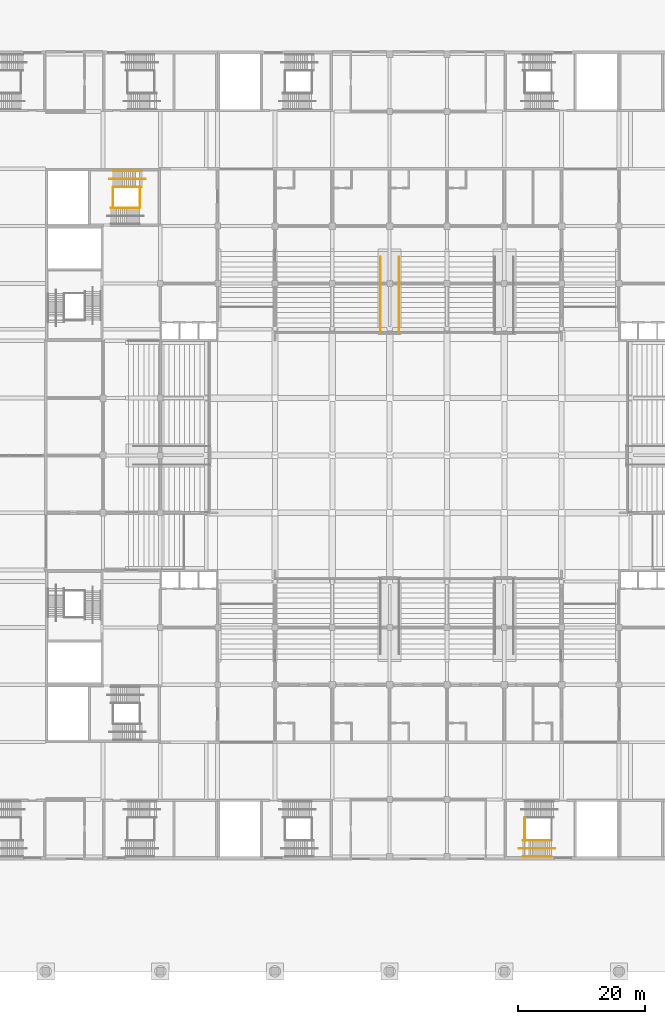
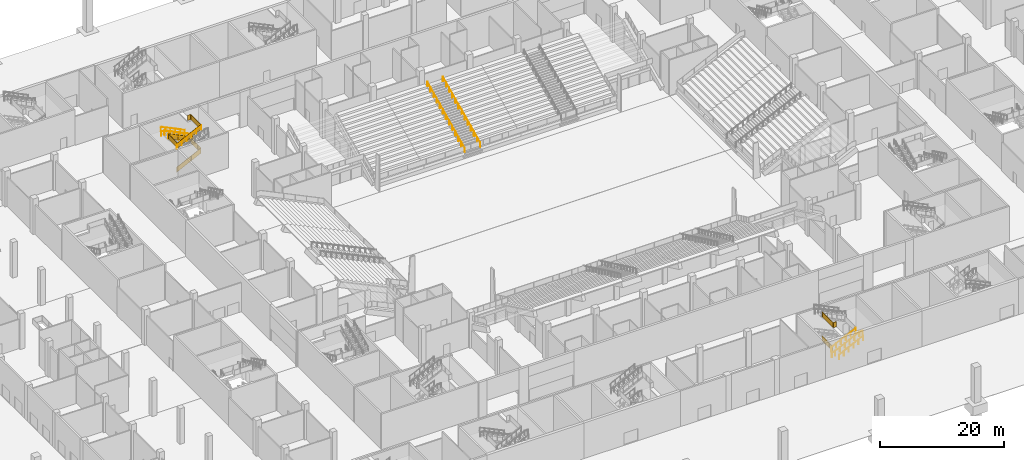
# One storey, part 68 of 92: 17 railings.
"""IFC4 building model written with IfcOpenShell, lengths in metres."""

from ifc_helpers import new_model, si_unit, direction, frame, origin, origin_2d, place, context, subcontext, project, spatial, polyline, circle, outline, extrude, material, type_object, element, save


model = new_model("IFC4")

# Units and contexts
model_context = context("Model", 3, precision=1e-05, world=origin(), true_north=direction((0.0, 1.0)))
body_context = subcontext(model_context, "Body", "Model", "MODEL_VIEW")
ifc_project = project(units=[si_unit("LENGTHUNIT", "METRE"), si_unit("AREAUNIT", "SQUARE_METRE"), si_unit("VOLUMEUNIT", "CUBIC_METRE"), si_unit("PLANEANGLEUNIT", "RADIAN"), si_unit("MASSUNIT", "GRAM", prefix="KILO")], contexts=[model_context])

# Site, building, storey
site_placement = place(None, origin())
site = spatial("IfcSite", under=ifc_project, at=site_placement, CompositionType="ELEMENT")
building_placement = place(site_placement, origin())
building = spatial("IfcBuilding", under=site, at=building_placement, Name="Silverbay Arena", CompositionType="ELEMENT")
storey_placement = place(building_placement, origin())
storey = spatial("IfcBuildingStorey", under=building, at=storey_placement, Name="L00", CompositionType="ELEMENT", Elevation=0.0)

# Railings
ifc_material_1 = material(Name="Stainless steel", Category="steel")
railing_type_1 = type_object("IfcRailingType", Name="Stair guard 1100", PredefinedType="GUARDRAIL", material=ifc_material_1)
railing_1_placement = place(storey_placement, frame((147.193115234375, 24.10009765625, 2.333251953125)))
element("IfcRailing", 1, at=railing_1_placement, inside=storey, type_object=railing_type_1, Name="Stair ST-S3 L00 to L01 landing 1 guard", PredefinedType="GUARDRAIL", context=body_context, shape_type="SweptSolid", body=[
    extrude(circle(Radius=0.02392578125, at=origin_2d()), frame((0.0, 0.0, 1.076171875), z_axis=(0.0, -1.0, 0.0), x_axis=(1.0, 0.0, 0.0)), (0.0, 0.0, 1.0), 3.5),
    extrude(outline(polyline([(-0.008056640625, 0.050048828125), (1.174560546875, 0.050048828125), (1.174560546875, 1.052978515625), (-0.008056640625, 1.052978515625), (-0.008056640625, 0.050048828125)])), frame((0.0029296875, 0.0, 0.0), z_axis=(-1.0, 0.0, 0.0), x_axis=(0.0, -1.0, 0.0)), (0.0, 0.0, 1.0), 0.006103515625),
    extrude(outline(polyline([(-0.008056640625, 0.050048828125), (1.174560546875, 0.050048828125), (1.174560546875, 1.052978515625), (-0.008056640625, 1.052978515625), (-0.008056640625, 0.050048828125)])), frame((0.0029296875, -1.166748046875, 0.0), z_axis=(-1.0, 0.0, 0.0), x_axis=(0.0, -1.0, 0.0)), (0.0, 0.0, 1.0), 0.006103515625),
    extrude(outline(polyline([(-0.008056640625, 0.050048828125), (1.174560546875, 0.050048828125), (1.174560546875, 1.052978515625), (-0.008056640625, 1.052978515625), (-0.008056640625, 0.050048828125)])), frame((0.0029296875, -2.333251953125, 0.0), z_axis=(-1.0, 0.0, 0.0), x_axis=(0.0, -1.0, 0.0)), (0.0, 0.0, 1.0), 0.006103515625),
    extrude(circle(Radius=0.02099609375, at=origin_2d()), origin(), (0.0, 0.0, 1.0), 1.052001953125),
    extrude(circle(Radius=0.02099609375, at=origin_2d()), frame((0.0, -1.166748046875, 0.0)), (0.0, 0.0, 1.0), 1.052001953125),
    extrude(circle(Radius=0.02099609375, at=origin_2d()), frame((0.0, -2.333251953125, 0.0)), (0.0, 0.0, 1.0), 1.052001953125),
    extrude(circle(Radius=0.02099609375, at=origin_2d()), frame((0.0, -3.5, 0.0)), (0.0, 0.0, 1.0), 1.052001953125),
])
railing_2_placement = place(storey_placement, frame((147.85009765625, 20.550048828125, 7.0)))
element("IfcRailing", 2, at=railing_2_placement, inside=storey, type_object=railing_type_1, Name="Stair ST-S3 L00 to L01 landing 3 guard", PredefinedType="GUARDRAIL", context=body_context, shape_type="SweptSolid", body=[
    extrude(circle(Radius=0.02392578125, at=origin_2d()), frame((0.0, 0.0, 1.076171875), z_axis=(-1.0, 0.0, 0.0), x_axis=(0.0, -1.0, 0.0)), (0.0, 0.0, 1.0), 0.60693359375),
    extrude(outline(polyline([(-0.008056640625, 0.050048828125), (0.614990234375, 0.050048828125), (0.614990234375, 1.052978515625), (-0.008056640625, 1.052978515625), (-0.008056640625, 0.050048828125)])), frame((0.0, -0.0029296875, 0.0), z_axis=(0.0, 1.0, 0.0), x_axis=(-1.0, 0.0, 0.0)), (0.0, 0.0, 1.0), 0.006103515625),
    extrude(circle(Radius=0.02392578125, at=origin_2d()), frame((-0.60693359375, 0.0, 1.076171875), z_axis=(0.0, 1.0, 0.0), x_axis=(-1.0, 0.0, 0.0)), (0.0, 0.0, 1.0), 3.550048828125),
    extrude(outline(polyline([(-0.008056640625, 0.050048828125), (1.19140625, 0.050048828125), (1.19140625, 1.052978515625), (-0.008056640625, 1.052978515625), (-0.008056640625, 0.050048828125)])), frame((-0.60986328125, 0.0, 0.0), z_axis=(1.0, 0.0, 0.0), x_axis=(0.0, 1.0, 0.0)), (0.0, 0.0, 1.0), 0.006103515625),
    extrude(outline(polyline([(-0.008056640625, 0.050048828125), (1.19140625, 0.050048828125), (1.19140625, 1.052978515625), (-0.008056640625, 1.052978515625), (-0.008056640625, 0.050048828125)])), frame((-0.60986328125, 1.183349609375, 0.0), z_axis=(1.0, 0.0, 0.0), x_axis=(0.0, 1.0, 0.0)), (0.0, 0.0, 1.0), 0.006103515625),
    extrude(outline(polyline([(-0.008056640625, 0.050048828125), (1.19140625, 0.050048828125), (1.19140625, 1.052978515625), (-0.008056640625, 1.052978515625), (-0.008056640625, 0.050048828125)])), frame((-0.60986328125, 2.36669921875, 0.0), z_axis=(1.0, 0.0, 0.0), x_axis=(0.0, 1.0, 0.0)), (0.0, 0.0, 1.0), 0.006103515625),
    extrude(circle(Radius=0.02099609375, at=origin_2d()), origin(), (0.0, 0.0, 1.0), 1.052001953125),
    extrude(circle(Radius=0.02099609375, at=origin_2d()), frame((-0.60693359375, 0.0, 0.0)), (0.0, 0.0, 1.0), 1.052001953125),
    extrude(circle(Radius=0.02099609375, at=origin_2d()), frame((-0.60693359375, 1.183349609375, 0.0)), (0.0, 0.0, 1.0), 1.052001953125),
    extrude(circle(Radius=0.02099609375, at=origin_2d()), frame((-0.60693359375, 2.36669921875, 0.0)), (0.0, 0.0, 1.0), 1.052001953125),
    extrude(circle(Radius=0.02099609375, at=origin_2d()), frame((-0.60693359375, 3.550048828125, 0.0)), (0.0, 0.0, 1.0), 1.052001953125),
])
railing_3_placement = place(storey_placement, frame((82.2568359375, 119.875, 0.145751953125)))
element("IfcRailing", 3, at=railing_3_placement, inside=storey, type_object=railing_type_1, Name="Stair ST-NW1 L00 to L01 flight 1 guard right", PredefinedType="GUARDRAIL", context=body_context, shape_type="SweptSolid", body=[
    extrude(circle(Radius=0.02392578125, at=origin_2d()), frame((0.0, 0.0, 1.076171875), z_axis=(0.899367854138, 0.0, 0.437192706873), x_axis=(0.0, 1.0, 0.0)), (0.0, 0.0, 1.0), 5.00341796875),
    extrude(outline(polyline([(-0.008056640625, 0.046142578125), (0.907958984375, 0.491455078125), (0.907958984375, 1.494384765625), (-0.008056640625, 1.049072265625), (-0.008056640625, 0.046142578125)])), frame((0.0, 0.0029296875, 0.0), z_axis=(0.0, -1.0, 0.0), x_axis=(1.0, 0.0, 0.0)), (0.0, 0.0, 1.0), 0.006103515625),
    extrude(outline(polyline([(-0.008056640625, 0.483642578125), (0.907958984375, 0.928955078125), (0.907958984375, 1.931884765625), (-0.008056640625, 1.486572265625), (-0.008056640625, 0.483642578125)])), frame((0.89990234375, 0.0029296875, 0.0), z_axis=(0.0, -1.0, 0.0), x_axis=(1.0, 0.0, 0.0)), (0.0, 0.0, 1.0), 0.006103515625),
    extrude(outline(polyline([(-0.008056640625, 0.921142578125), (0.907958984375, 1.366455078125), (0.907958984375, 2.369384765625), (-0.008056640625, 1.924072265625), (-0.008056640625, 0.921142578125)])), frame((1.800048828125, 0.0029296875, 0.0), z_axis=(0.0, -1.0, 0.0), x_axis=(1.0, 0.0, 0.0)), (0.0, 0.0, 1.0), 0.006103515625),
    extrude(outline(polyline([(-0.008056640625, 1.358642578125), (0.907958984375, 1.803955078125), (0.907958984375, 2.806884765625), (-0.008056640625, 2.361572265625), (-0.008056640625, 1.358642578125)])), frame((2.699951171875, 0.0029296875, 0.0), z_axis=(0.0, -1.0, 0.0), x_axis=(1.0, 0.0, 0.0)), (0.0, 0.0, 1.0), 0.006103515625),
    extrude(outline(polyline([(-0.008056640625, 1.796142578125), (0.907958984375, 2.241455078125), (0.907958984375, 3.244384765625), (-0.008056640625, 2.799072265625), (-0.008056640625, 1.796142578125)])), frame((3.60009765625, 0.0029296875, 0.0), z_axis=(0.0, -1.0, 0.0), x_axis=(1.0, 0.0, 0.0)), (0.0, 0.0, 1.0), 0.006103515625),
    extrude(circle(Radius=0.02099609375, at=origin_2d()), origin(), (0.0, 0.0, 1.0), 1.052001953125),
    extrude(circle(Radius=0.02099609375, at=origin_2d()), frame((0.89990234375, 0.0, 0.4375)), (0.0, 0.0, 1.0), 1.052001953125),
    extrude(circle(Radius=0.02099609375, at=origin_2d()), frame((1.800048828125, 0.0, 0.875)), (0.0, 0.0, 1.0), 1.052001953125),
    extrude(circle(Radius=0.02099609375, at=origin_2d()), frame((2.699951171875, 0.0, 1.3125)), (0.0, 0.0, 1.0), 1.052001953125),
    extrude(circle(Radius=0.02099609375, at=origin_2d()), frame((3.60009765625, 0.0, 1.75)), (0.0, 0.0, 1.0), 1.052001953125),
    extrude(circle(Radius=0.02099609375, at=origin_2d()), frame((4.5, 0.0, 2.1875)), (0.0, 0.0, 1.0), 1.052001953125),
])
railing_4_placement = place(storey_placement, frame((87.10009765625, 123.125, 2.479248046875)))
element("IfcRailing", 4, at=railing_4_placement, inside=storey, type_object=railing_type_1, Name="Stair ST-NW1 L00 to L01 flight 2 guard left", PredefinedType="GUARDRAIL", context=body_context, shape_type="SweptSolid", body=[
    extrude(circle(Radius=0.02392578125, at=origin_2d()), frame((0.0, 0.0, 1.076171875), z_axis=(-0.899367854138, 0.0, 0.437192706873), x_axis=(0.0, -1.0, 0.0)), (0.0, 0.0, 1.0), 5.00341796875),
    extrude(outline(polyline([(-0.008056640625, 0.046142578125), (0.907958984375, 0.491455078125), (0.907958984375, 1.494384765625), (-0.008056640625, 1.049072265625), (-0.008056640625, 0.046142578125)])), frame((0.0, -0.0029296875, 0.0), z_axis=(0.0, 1.0, 0.0), x_axis=(-1.0, 0.0, 0.0)), (0.0, 0.0, 1.0), 0.006103515625),
    extrude(outline(polyline([(-0.008056640625, 0.483642578125), (0.907958984375, 0.928955078125), (0.907958984375, 1.931884765625), (-0.008056640625, 1.486572265625), (-0.008056640625, 0.483642578125)])), frame((-0.89990234375, -0.0029296875, 0.0), z_axis=(0.0, 1.0, 0.0), x_axis=(-1.0, 0.0, 0.0)), (0.0, 0.0, 1.0), 0.006103515625),
    extrude(outline(polyline([(-0.008056640625, 0.921142578125), (0.907958984375, 1.366455078125), (0.907958984375, 2.369384765625), (-0.008056640625, 1.924072265625), (-0.008056640625, 0.921142578125)])), frame((-1.800048828125, -0.0029296875, 0.0), z_axis=(0.0, 1.0, 0.0), x_axis=(-1.0, 0.0, 0.0)), (0.0, 0.0, 1.0), 0.006103515625),
    extrude(outline(polyline([(-0.008056640625, 1.358642578125), (0.907958984375, 1.803955078125), (0.907958984375, 2.806884765625), (-0.008056640625, 2.361572265625), (-0.008056640625, 1.358642578125)])), frame((-2.699951171875, -0.0029296875, 0.0), z_axis=(0.0, 1.0, 0.0), x_axis=(-1.0, 0.0, 0.0)), (0.0, 0.0, 1.0), 0.006103515625),
    extrude(outline(polyline([(-0.008056640625, 1.796142578125), (0.907958984375, 2.241455078125), (0.907958984375, 3.244384765625), (-0.008056640625, 2.799072265625), (-0.008056640625, 1.796142578125)])), frame((-3.60009765625, -0.0029296875, 0.0), z_axis=(0.0, 1.0, 0.0), x_axis=(-1.0, 0.0, 0.0)), (0.0, 0.0, 1.0), 0.006103515625),
    extrude(circle(Radius=0.02099609375, at=origin_2d()), origin(), (0.0, 0.0, 1.0), 1.052001953125),
    extrude(circle(Radius=0.02099609375, at=origin_2d()), frame((-0.89990234375, 0.0, 0.4375)), (0.0, 0.0, 1.0), 1.052001953125),
    extrude(circle(Radius=0.02099609375, at=origin_2d()), frame((-1.800048828125, 0.0, 0.875)), (0.0, 0.0, 1.0), 1.052001953125),
    extrude(circle(Radius=0.02099609375, at=origin_2d()), frame((-2.699951171875, 0.0, 1.3125)), (0.0, 0.0, 1.0), 1.052001953125),
    extrude(circle(Radius=0.02099609375, at=origin_2d()), frame((-3.60009765625, 0.0, 1.75)), (0.0, 0.0, 1.0), 1.052001953125),
    extrude(circle(Radius=0.02099609375, at=origin_2d()), frame((-4.5, 0.0, 2.1875)), (0.0, 0.0, 1.0), 1.052001953125),
])
railing_5_placement = place(storey_placement, frame((82.2568359375, 119.875, 4.8125)))
element("IfcRailing", 5, at=railing_5_placement, inside=storey, type_object=railing_type_1, Name="Stair ST-NW1 L00 to L01 flight 3 guard right", PredefinedType="GUARDRAIL", context=body_context, shape_type="SweptSolid", body=[
    extrude(circle(Radius=0.02392578125, at=origin_2d()), frame((0.0, 0.0, 1.076171875), z_axis=(0.899367854138, 0.0, 0.437192706873), x_axis=(0.0, 1.0, 0.0)), (0.0, 0.0, 1.0), 5.00341796875),
    extrude(outline(polyline([(-0.008056640625, 0.046142578125), (0.907958984375, 0.491455078125), (0.907958984375, 1.494384765625), (-0.008056640625, 1.049072265625), (-0.008056640625, 0.046142578125)])), frame((0.0, 0.0029296875, 0.0), z_axis=(0.0, -1.0, 0.0), x_axis=(1.0, 0.0, 0.0)), (0.0, 0.0, 1.0), 0.006103515625),
    extrude(outline(polyline([(-0.008056640625, 0.483642578125), (0.907958984375, 0.928955078125), (0.907958984375, 1.931884765625), (-0.008056640625, 1.486572265625), (-0.008056640625, 0.483642578125)])), frame((0.89990234375, 0.0029296875, 0.0), z_axis=(0.0, -1.0, 0.0), x_axis=(1.0, 0.0, 0.0)), (0.0, 0.0, 1.0), 0.006103515625),
    extrude(outline(polyline([(-0.008056640625, 0.921142578125), (0.907958984375, 1.366455078125), (0.907958984375, 2.369384765625), (-0.008056640625, 1.924072265625), (-0.008056640625, 0.921142578125)])), frame((1.800048828125, 0.0029296875, 0.0), z_axis=(0.0, -1.0, 0.0), x_axis=(1.0, 0.0, 0.0)), (0.0, 0.0, 1.0), 0.006103515625),
    extrude(outline(polyline([(-0.008056640625, 1.358642578125), (0.907958984375, 1.803955078125), (0.907958984375, 2.806884765625), (-0.008056640625, 2.361572265625), (-0.008056640625, 1.358642578125)])), frame((2.699951171875, 0.0029296875, 0.0), z_axis=(0.0, -1.0, 0.0), x_axis=(1.0, 0.0, 0.0)), (0.0, 0.0, 1.0), 0.006103515625),
    extrude(outline(polyline([(-0.008056640625, 1.796142578125), (0.907958984375, 2.241455078125), (0.907958984375, 3.244384765625), (-0.008056640625, 2.799072265625), (-0.008056640625, 1.796142578125)])), frame((3.60009765625, 0.0029296875, 0.0), z_axis=(0.0, -1.0, 0.0), x_axis=(1.0, 0.0, 0.0)), (0.0, 0.0, 1.0), 0.006103515625),
    extrude(circle(Radius=0.02099609375, at=origin_2d()), origin(), (0.0, 0.0, 1.0), 1.052001953125),
    extrude(circle(Radius=0.02099609375, at=origin_2d()), frame((0.89990234375, 0.0, 0.4375)), (0.0, 0.0, 1.0), 1.052001953125),
    extrude(circle(Radius=0.02099609375, at=origin_2d()), frame((1.800048828125, 0.0, 0.875)), (0.0, 0.0, 1.0), 1.052001953125),
    extrude(circle(Radius=0.02099609375, at=origin_2d()), frame((2.699951171875, 0.0, 1.3125)), (0.0, 0.0, 1.0), 1.052001953125),
    extrude(circle(Radius=0.02099609375, at=origin_2d()), frame((3.60009765625, 0.0, 1.75)), (0.0, 0.0, 1.0), 1.052001953125),
    extrude(circle(Radius=0.02099609375, at=origin_2d()), frame((4.5, 0.0, 2.1875)), (0.0, 0.0, 1.0), 1.052001953125),
])
for number, where, name in (
    (6, (86.806884765625, 119.89990234375, 2.333251953125), "Stair ST-NW1 L00 to L01 landing 1 guard"),
    (7, (82.550048828125, 119.89990234375, 4.666748046875), "Stair ST-NW1 L00 to L01 landing 2 guard"),
):
    element("IfcRailing", number, at=place(storey_placement, frame(where)), inside=storey, type_object=railing_type_1, Name=name, PredefinedType="GUARDRAIL", context=body_context, shape_type="SweptSolid", body=[
        extrude(circle(Radius=0.02392578125, at=origin_2d()), frame((0.0, 0.0, 1.076171875), z_axis=(0.0, 1.0, 0.0), x_axis=(-1.0, 0.0, 0.0)), (0.0, 0.0, 1.0), 3.2001953125),
        extrude(outline(polyline([(-0.008056640625, 0.050048828125), (1.07470703125, 0.050048828125), (1.07470703125, 1.052978515625), (-0.008056640625, 1.052978515625), (-0.008056640625, 0.050048828125)])), frame((-0.0029296875, 0.0, 0.0), z_axis=(1.0, 0.0, 0.0), x_axis=(0.0, 1.0, 0.0)), (0.0, 0.0, 1.0), 0.006103515625),
        extrude(outline(polyline([(-0.008056640625, 0.050048828125), (1.07470703125, 0.050048828125), (1.07470703125, 1.052978515625), (-0.008056640625, 1.052978515625), (-0.008056640625, 0.050048828125)])), frame((-0.0029296875, 1.066650390625, 0.0), z_axis=(1.0, 0.0, 0.0), x_axis=(0.0, 1.0, 0.0)), (0.0, 0.0, 1.0), 0.006103515625),
        extrude(outline(polyline([(-0.008056640625, 0.050048828125), (1.07470703125, 0.050048828125), (1.07470703125, 1.052978515625), (-0.008056640625, 1.052978515625), (-0.008056640625, 0.050048828125)])), frame((-0.0029296875, 2.133544921875, 0.0), z_axis=(1.0, 0.0, 0.0), x_axis=(0.0, 1.0, 0.0)), (0.0, 0.0, 1.0), 0.006103515625),
        extrude(circle(Radius=0.02099609375, at=origin_2d()), origin(), (0.0, 0.0, 1.0), 1.052001953125),
        extrude(circle(Radius=0.02099609375, at=origin_2d()), frame((0.0, 1.066650390625, 0.0)), (0.0, 0.0, 1.0), 1.052001953125),
        extrude(circle(Radius=0.02099609375, at=origin_2d()), frame((0.0, 2.133544921875, 0.0)), (0.0, 0.0, 1.0), 1.052001953125),
        extrude(circle(Radius=0.02099609375, at=origin_2d()), frame((0.0, 3.2001953125, 0.0)), (0.0, 0.0, 1.0), 1.052001953125),
    ])
railing_6_placement = place(storey_placement, frame((86.14990234375, 123.14990234375, 7.0)))
element("IfcRailing", 8, at=railing_6_placement, inside=storey, type_object=railing_type_1, Name="Stair ST-NW1 L00 to L01 landing 3 guard", PredefinedType="GUARDRAIL", context=body_context, shape_type="SweptSolid", body=[
    extrude(circle(Radius=0.02392578125, at=origin_2d()), frame((0.0, 0.0, 1.076171875), z_axis=(1.0, 0.0, 0.0), x_axis=(0.0, 1.0, 0.0)), (0.0, 0.0, 1.0), 0.60693359375),
    extrude(outline(polyline([(-0.008056640625, 0.050048828125), (0.614990234375, 0.050048828125), (0.614990234375, 1.052978515625), (-0.008056640625, 1.052978515625), (-0.008056640625, 0.050048828125)])), frame((0.0, 0.0029296875, 0.0), z_axis=(0.0, -1.0, 0.0), x_axis=(1.0, 0.0, 0.0)), (0.0, 0.0, 1.0), 0.006103515625),
    extrude(circle(Radius=0.02392578125, at=origin_2d()), frame((0.60693359375, 0.0, 1.076171875), z_axis=(0.0, -1.0, 0.0), x_axis=(1.0, 0.0, 0.0)), (0.0, 0.0, 1.0), 3.25),
    extrude(outline(polyline([(-0.008056640625, 0.050048828125), (1.09130859375, 0.050048828125), (1.09130859375, 1.052978515625), (-0.008056640625, 1.052978515625), (-0.008056640625, 0.050048828125)])), frame((0.60986328125, 0.0, 0.0), z_axis=(-1.0, 0.0, 0.0), x_axis=(0.0, -1.0, 0.0)), (0.0, 0.0, 1.0), 0.006103515625),
    extrude(outline(polyline([(-0.008056640625, 0.050048828125), (1.09130859375, 0.050048828125), (1.09130859375, 1.052978515625), (-0.008056640625, 1.052978515625), (-0.008056640625, 0.050048828125)])), frame((0.60986328125, -1.083251953125, 0.0), z_axis=(-1.0, 0.0, 0.0), x_axis=(0.0, -1.0, 0.0)), (0.0, 0.0, 1.0), 0.006103515625),
    extrude(outline(polyline([(-0.008056640625, 0.050048828125), (1.09130859375, 0.050048828125), (1.09130859375, 1.052978515625), (-0.008056640625, 1.052978515625), (-0.008056640625, 0.050048828125)])), frame((0.60986328125, -2.166748046875, 0.0), z_axis=(-1.0, 0.0, 0.0), x_axis=(0.0, -1.0, 0.0)), (0.0, 0.0, 1.0), 0.006103515625),
    extrude(circle(Radius=0.02099609375, at=origin_2d()), origin(), (0.0, 0.0, 1.0), 1.052001953125),
    extrude(circle(Radius=0.02099609375, at=origin_2d()), frame((0.60693359375, 0.0, 0.0)), (0.0, 0.0, 1.0), 1.052001953125),
    extrude(circle(Radius=0.02099609375, at=origin_2d()), frame((0.60693359375, -1.083251953125, 0.0)), (0.0, 0.0, 1.0), 1.052001953125),
    extrude(circle(Radius=0.02099609375, at=origin_2d()), frame((0.60693359375, -2.166748046875, 0.0)), (0.0, 0.0, 1.0), 1.052001953125),
    extrude(circle(Radius=0.02099609375, at=origin_2d()), frame((0.60693359375, -3.25, 0.0)), (0.0, 0.0, 1.0), 1.052001953125),
])
ifc_material_2 = material(Name="Stainless steel", Category="steel")
railing_type_2 = type_object("IfcRailingType", Name="Stair handrail 900", PredefinedType="HANDRAIL", material=ifc_material_2)
for number, where, name in (
    (9, (146.89990234375, 20.535888671875, 2.479248046875), "Stair ST-S3 L00 to L01 flight 2 handrail left"),
    (10, (146.89990234375, 18.050048828125, 2.479248046875), "Stair ST-S3 L00 to L01 flight 2 handrail right"),
):
    element("IfcRailing", number, at=place(storey_placement, frame(where)), inside=storey, type_object=railing_type_2, Name=name, PredefinedType="HANDRAIL", context=body_context, shape_type="SweptSolid", body=[
        extrude(circle(Radius=0.02392578125, at=origin_2d()), frame((0.0, 0.0, 0.8759765625), z_axis=(0.899367854138, 0.0, 0.437192706873), x_axis=(0.0, 1.0, 0.0)), (0.0, 0.0, 1.0), 5.00341796875),
        extrude(circle(Radius=0.02099609375, at=origin_2d()), origin(), (0.0, 0.0, 1.0), 0.851806640625),
        extrude(circle(Radius=0.02099609375, at=origin_2d()), frame((0.89990234375, 0.0, 0.4375)), (0.0, 0.0, 1.0), 0.851806640625),
        extrude(circle(Radius=0.02099609375, at=origin_2d()), frame((1.800048828125, 0.0, 0.875)), (0.0, 0.0, 1.0), 0.851806640625),
        extrude(circle(Radius=0.02099609375, at=origin_2d()), frame((2.699951171875, 0.0, 1.3125)), (0.0, 0.0, 1.0), 0.851806640625),
        extrude(circle(Radius=0.02099609375, at=origin_2d()), frame((3.60009765625, 0.0, 1.75)), (0.0, 0.0, 1.0), 0.851806640625),
        extrude(circle(Radius=0.02099609375, at=origin_2d()), frame((4.5, 0.0, 2.1875)), (0.0, 0.0, 1.0), 0.851806640625),
    ])
railing_7_placement = place(storey_placement, frame((146.300048828125, 19.300048828125, 2.333251953125)))
element("IfcRailing", 11, at=railing_7_placement, inside=storey, type_object=railing_type_2, Name="Stair ST-S3 L00 to L01 flight 2 central handrail", PredefinedType="HANDRAIL", context=body_context, shape_type="SweptSolid", body=[
    extrude(circle(Radius=0.02392578125, at=origin_2d()), frame((0.0, 0.0, 0.8759765625), z_axis=(0.971635685089, 0.0, 0.236482759334), x_axis=(0.0, 1.0, 0.0)), (0.0, 0.0, 1.0), 0.617431640625),
    extrude(circle(Radius=0.02392578125, at=origin_2d()), frame((0.599853515625, 0.0, 1.02197265625), z_axis=(0.899367854138, 0.0, 0.437192706873), x_axis=(0.0, 1.0, 0.0)), (0.0, 0.0, 1.0), 5.00341796875),
    extrude(circle(Radius=0.02392578125, at=origin_2d()), frame((5.099853515625, 0.0, 3.20947265625), z_axis=(1.0, 0.0, 0.0), x_axis=(0.0, 1.0, 0.0)), (0.0, 0.0, 1.0), 0.60009765625),
    extrude(circle(Radius=0.02099609375, at=origin_2d()), origin(), (0.0, 0.0, 1.0), 0.851806640625),
    extrude(circle(Radius=0.02099609375, at=origin_2d()), frame((0.599853515625, 0.0, 0.14599609375)), (0.0, 0.0, 1.0), 0.851806640625),
    extrude(circle(Radius=0.02099609375, at=origin_2d()), frame((1.499755859375, 0.0, 0.58349609375)), (0.0, 0.0, 1.0), 0.851806640625),
    extrude(circle(Radius=0.02099609375, at=origin_2d()), frame((2.39990234375, 0.0, 1.02099609375)), (0.0, 0.0, 1.0), 0.851806640625),
    extrude(circle(Radius=0.02099609375, at=origin_2d()), frame((3.2998046875, 0.0, 1.45849609375)), (0.0, 0.0, 1.0), 0.851806640625),
    extrude(circle(Radius=0.02099609375, at=origin_2d()), frame((4.199951171875, 0.0, 1.89599609375)), (0.0, 0.0, 1.0), 0.851806640625),
    extrude(circle(Radius=0.02099609375, at=origin_2d()), frame((5.099853515625, 0.0, 2.33349609375)), (0.0, 0.0, 1.0), 0.851806640625),
    extrude(circle(Radius=0.02099609375, at=origin_2d()), frame((5.699951171875, 0.0, 2.33349609375)), (0.0, 0.0, 1.0), 0.851806640625),
])
for number, where, name in (
    (12, (87.10009765625, 123.1640625, 2.479248046875), "Stair ST-NW1 L00 to L01 flight 2 handrail left"),
    (13, (87.10009765625, 125.64990234375, 2.479248046875), "Stair ST-NW1 L00 to L01 flight 2 handrail right"),
):
    element("IfcRailing", number, at=place(storey_placement, frame(where)), inside=storey, type_object=railing_type_2, Name=name, PredefinedType="HANDRAIL", context=body_context, shape_type="SweptSolid", body=[
        extrude(circle(Radius=0.02392578125, at=origin_2d()), frame((0.0, 0.0, 0.8759765625), z_axis=(-0.899367854138, 0.0, 0.437192706873), x_axis=(0.0, -1.0, 0.0)), (0.0, 0.0, 1.0), 5.00341796875),
        extrude(circle(Radius=0.02099609375, at=origin_2d()), origin(), (0.0, 0.0, 1.0), 0.851806640625),
        extrude(circle(Radius=0.02099609375, at=origin_2d()), frame((-0.89990234375, 0.0, 0.4375)), (0.0, 0.0, 1.0), 0.851806640625),
        extrude(circle(Radius=0.02099609375, at=origin_2d()), frame((-1.800048828125, 0.0, 0.875)), (0.0, 0.0, 1.0), 0.851806640625),
        extrude(circle(Radius=0.02099609375, at=origin_2d()), frame((-2.699951171875, 0.0, 1.3125)), (0.0, 0.0, 1.0), 0.851806640625),
        extrude(circle(Radius=0.02099609375, at=origin_2d()), frame((-3.60009765625, 0.0, 1.75)), (0.0, 0.0, 1.0), 0.851806640625),
        extrude(circle(Radius=0.02099609375, at=origin_2d()), frame((-4.5, 0.0, 2.1875)), (0.0, 0.0, 1.0), 0.851806640625),
    ])
railing_8_placement = place(storey_placement, frame((87.699951171875, 124.39990234375, 2.333251953125)))
element("IfcRailing", 14, at=railing_8_placement, inside=storey, type_object=railing_type_2, Name="Stair ST-NW1 L00 to L01 flight 2 central handrail", PredefinedType="HANDRAIL", context=body_context, shape_type="SweptSolid", body=[
    extrude(circle(Radius=0.02392578125, at=origin_2d()), frame((0.0, 0.0, 0.8759765625), z_axis=(-0.971635685089, 0.0, 0.236482759334), x_axis=(0.0, -1.0, 0.0)), (0.0, 0.0, 1.0), 0.617431640625),
    extrude(circle(Radius=0.02392578125, at=origin_2d()), frame((-0.599853515625, 0.0, 1.02197265625), z_axis=(-0.899367854138, 0.0, 0.437192706873), x_axis=(0.0, -1.0, 0.0)), (0.0, 0.0, 1.0), 5.00341796875),
    extrude(circle(Radius=0.02392578125, at=origin_2d()), frame((-5.099853515625, 0.0, 3.20947265625), z_axis=(-1.0, 0.0, 0.0), x_axis=(0.0, -1.0, 0.0)), (0.0, 0.0, 1.0), 0.60009765625),
    extrude(circle(Radius=0.02099609375, at=origin_2d()), origin(), (0.0, 0.0, 1.0), 0.851806640625),
    extrude(circle(Radius=0.02099609375, at=origin_2d()), frame((-0.599853515625, 0.0, 0.14599609375)), (0.0, 0.0, 1.0), 0.851806640625),
    extrude(circle(Radius=0.02099609375, at=origin_2d()), frame((-1.499755859375, 0.0, 0.58349609375)), (0.0, 0.0, 1.0), 0.851806640625),
    extrude(circle(Radius=0.02099609375, at=origin_2d()), frame((-2.39990234375, 0.0, 1.02099609375)), (0.0, 0.0, 1.0), 0.851806640625),
    extrude(circle(Radius=0.02099609375, at=origin_2d()), frame((-3.2998046875, 0.0, 1.45849609375)), (0.0, 0.0, 1.0), 0.851806640625),
    extrude(circle(Radius=0.02099609375, at=origin_2d()), frame((-4.199951171875, 0.0, 1.89599609375)), (0.0, 0.0, 1.0), 0.851806640625),
    extrude(circle(Radius=0.02099609375, at=origin_2d()), frame((-5.099853515625, 0.0, 2.33349609375)), (0.0, 0.0, 1.0), 0.851806640625),
    extrude(circle(Radius=0.02099609375, at=origin_2d()), frame((-5.699951171875, 0.0, 2.33349609375)), (0.0, 0.0, 1.0), 0.851806640625),
])
railing_9_placement = place(storey_placement, frame((82.2568359375, 119.8359375, 4.8125)))
element("IfcRailing", 15, at=railing_9_placement, inside=storey, type_object=railing_type_2, Name="Stair ST-NW1 L00 to L01 flight 3 handrail right", PredefinedType="HANDRAIL", context=body_context, shape_type="SweptSolid", body=[
    extrude(circle(Radius=0.02392578125, at=origin_2d()), frame((0.0, 0.0, 0.8759765625), z_axis=(0.899367854138, 0.0, 0.437192706873), x_axis=(0.0, 1.0, 0.0)), (0.0, 0.0, 1.0), 5.00341796875),
    extrude(circle(Radius=0.02099609375, at=origin_2d()), origin(), (0.0, 0.0, 1.0), 0.851806640625),
    extrude(circle(Radius=0.02099609375, at=origin_2d()), frame((0.89990234375, 0.0, 0.4375)), (0.0, 0.0, 1.0), 0.851806640625),
    extrude(circle(Radius=0.02099609375, at=origin_2d()), frame((1.800048828125, 0.0, 0.875)), (0.0, 0.0, 1.0), 0.851806640625),
    extrude(circle(Radius=0.02099609375, at=origin_2d()), frame((2.699951171875, 0.0, 1.3125)), (0.0, 0.0, 1.0), 0.851806640625),
    extrude(circle(Radius=0.02099609375, at=origin_2d()), frame((3.60009765625, 0.0, 1.75)), (0.0, 0.0, 1.0), 0.851806640625),
    extrude(circle(Radius=0.02099609375, at=origin_2d()), frame((4.5, 0.0, 2.1875)), (0.0, 0.0, 1.0), 0.851806640625),
])
railing_10_placement = place(storey_placement, frame((124.550048828125, 100.199951171875, 1.300048828125)))
element("IfcRailing", 16, at=railing_10_placement, inside=storey, type_object=railing_type_2, Name="Vomitory stair V05 handrail left", PredefinedType="HANDRAIL", context=body_context, shape_type="SweptSolid", body=[
    extrude(circle(Radius=0.02392578125, at=origin_2d()), frame((0.0, 0.0, 0.8759765625), z_axis=(0.0, 0.903278928798, 0.429053815727), x_axis=(-1.0, 0.0, 0.0)), (0.0, 0.0, 1.0), 13.284912109375),
    extrude(circle(Radius=0.02099609375, at=origin_2d()), origin(), (0.0, 0.0, 1.0), 0.851806640625),
    extrude(circle(Radius=0.02099609375, at=origin_2d()), frame((0.0, 1.0, 0.47509765625)), (0.0, 0.0, 1.0), 0.851806640625),
    extrude(circle(Radius=0.02099609375, at=origin_2d()), frame((0.0, 2.0, 0.949951171875)), (0.0, 0.0, 1.0), 0.851806640625),
    extrude(circle(Radius=0.02099609375, at=origin_2d()), frame((0.0, 3.0, 1.425048828125)), (0.0, 0.0, 1.0), 0.851806640625),
    extrude(circle(Radius=0.02099609375, at=origin_2d()), frame((0.0, 4.0, 1.89990234375)), (0.0, 0.0, 1.0), 0.851806640625),
    extrude(circle(Radius=0.02099609375, at=origin_2d()), frame((0.0, 5.0, 2.375)), (0.0, 0.0, 1.0), 0.851806640625),
    extrude(circle(Radius=0.02099609375, at=origin_2d()), frame((0.0, 6.0, 2.85009765625)), (0.0, 0.0, 1.0), 0.851806640625),
    extrude(circle(Radius=0.02099609375, at=origin_2d()), frame((0.0, 7.0, 3.324951171875)), (0.0, 0.0, 1.0), 0.851806640625),
    extrude(circle(Radius=0.02099609375, at=origin_2d()), frame((0.0, 8.0, 3.800048828125)), (0.0, 0.0, 1.0), 0.851806640625),
    extrude(circle(Radius=0.02099609375, at=origin_2d()), frame((0.0, 9.0, 4.27490234375)), (0.0, 0.0, 1.0), 0.851806640625),
    extrude(circle(Radius=0.02099609375, at=origin_2d()), frame((0.0, 10.0, 4.75)), (0.0, 0.0, 1.0), 0.851806640625),
    extrude(circle(Radius=0.02099609375, at=origin_2d()), frame((0.0, 11.0, 5.224853515625)), (0.0, 0.0, 1.0), 0.851806640625),
    extrude(circle(Radius=0.02099609375, at=origin_2d()), frame((0.0, 12.0, 5.699951171875)), (0.0, 0.0, 1.0), 0.851806640625),
])
railing_11_placement = place(storey_placement, frame((127.449951171875, 100.199951171875, 1.300048828125)))
element("IfcRailing", 17, at=railing_11_placement, inside=storey, type_object=railing_type_2, Name="Vomitory stair V05 handrail right", PredefinedType="HANDRAIL", context=body_context, shape_type="SweptSolid", body=[
    extrude(circle(Radius=0.02392578125, at=origin_2d()), frame((0.0, 0.0, 0.8759765625), z_axis=(0.0, 0.903278928798, 0.429053815727), x_axis=(-1.0, 0.0, 0.0)), (0.0, 0.0, 1.0), 13.284912109375),
    extrude(circle(Radius=0.02099609375, at=origin_2d()), origin(), (0.0, 0.0, 1.0), 0.851806640625),
    extrude(circle(Radius=0.02099609375, at=origin_2d()), frame((0.0, 1.0, 0.47509765625)), (0.0, 0.0, 1.0), 0.851806640625),
    extrude(circle(Radius=0.02099609375, at=origin_2d()), frame((0.0, 2.0, 0.949951171875)), (0.0, 0.0, 1.0), 0.851806640625),
    extrude(circle(Radius=0.02099609375, at=origin_2d()), frame((0.0, 3.0, 1.425048828125)), (0.0, 0.0, 1.0), 0.851806640625),
    extrude(circle(Radius=0.02099609375, at=origin_2d()), frame((0.0, 4.0, 1.89990234375)), (0.0, 0.0, 1.0), 0.851806640625),
    extrude(circle(Radius=0.02099609375, at=origin_2d()), frame((0.0, 5.0, 2.375)), (0.0, 0.0, 1.0), 0.851806640625),
    extrude(circle(Radius=0.02099609375, at=origin_2d()), frame((0.0, 6.0, 2.85009765625)), (0.0, 0.0, 1.0), 0.851806640625),
    extrude(circle(Radius=0.02099609375, at=origin_2d()), frame((0.0, 7.0, 3.324951171875)), (0.0, 0.0, 1.0), 0.851806640625),
    extrude(circle(Radius=0.02099609375, at=origin_2d()), frame((0.0, 8.0, 3.800048828125)), (0.0, 0.0, 1.0), 0.851806640625),
    extrude(circle(Radius=0.02099609375, at=origin_2d()), frame((0.0, 9.0, 4.27490234375)), (0.0, 0.0, 1.0), 0.851806640625),
    extrude(circle(Radius=0.02099609375, at=origin_2d()), frame((0.0, 10.0, 4.75)), (0.0, 0.0, 1.0), 0.851806640625),
    extrude(circle(Radius=0.02099609375, at=origin_2d()), frame((0.0, 11.0, 5.224853515625)), (0.0, 0.0, 1.0), 0.851806640625),
    extrude(circle(Radius=0.02099609375, at=origin_2d()), frame((0.0, 12.0, 5.699951171875)), (0.0, 0.0, 1.0), 0.851806640625),
])

save(model, "model.ifc")
